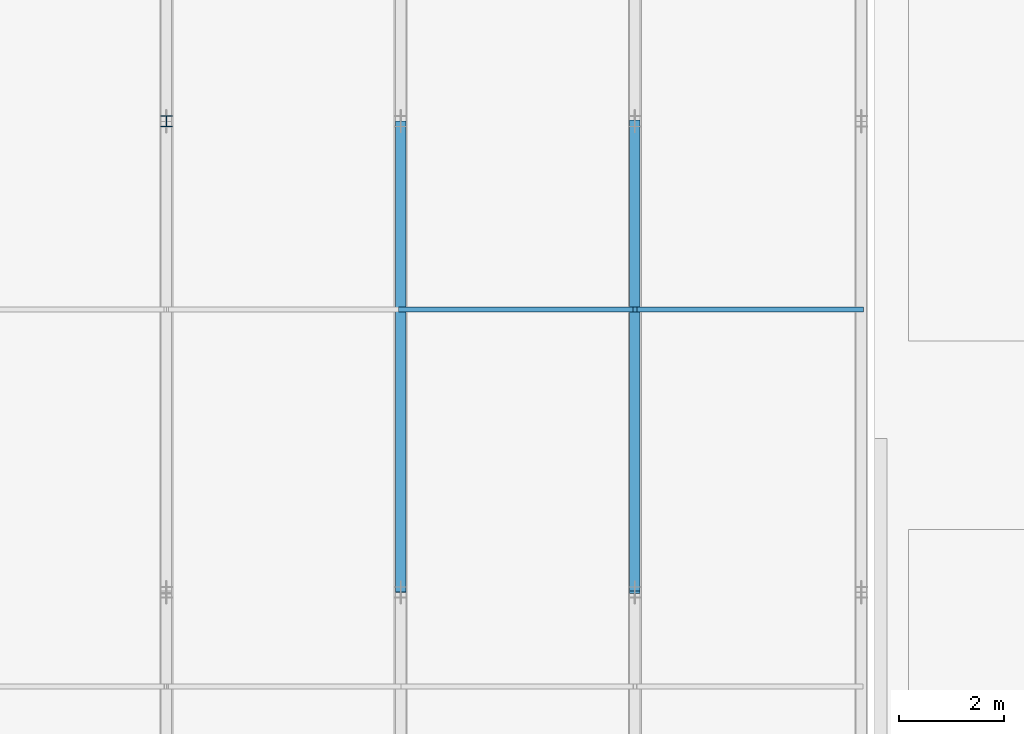
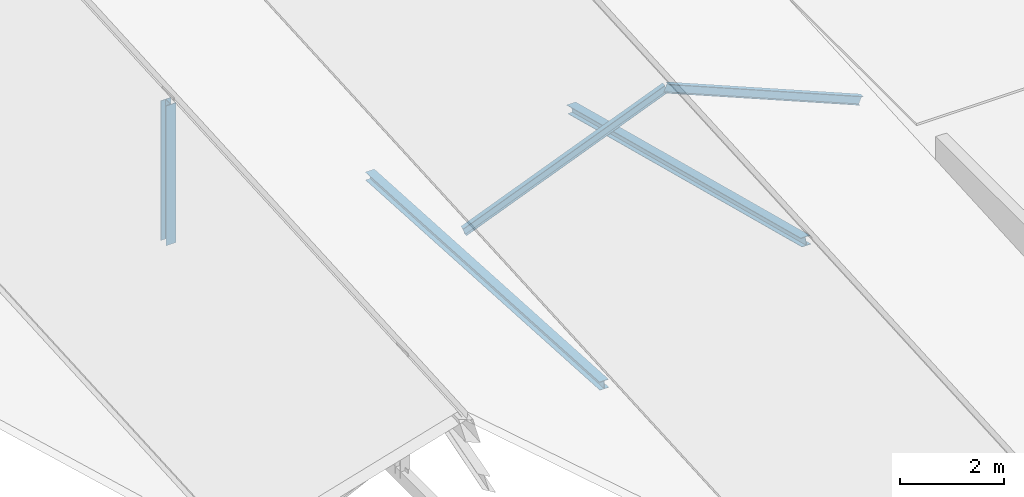
# One storey, part 53 of 142: 5 members.
"""IFC4 building model written with IfcOpenShell, lengths in metres."""

from ifc_helpers import new_model, si_unit, direction, frame, origin, origin_2d, place, context, subcontext, project, spatial, i_section, extrude, material, material_profile, profile_set, type_object, element, save


model = new_model("IFC4")

# Units and contexts
model_context = context("Model", 3, precision=1e-05, world=origin(), true_north=direction((0.0, 1.0)))
body_context = subcontext(model_context, "Body", "Model", "MODEL_VIEW")
ifc_project = project(units=[si_unit("LENGTHUNIT", "METRE"), si_unit("AREAUNIT", "SQUARE_METRE"), si_unit("VOLUMEUNIT", "CUBIC_METRE"), si_unit("PLANEANGLEUNIT", "RADIAN"), si_unit("MASSUNIT", "GRAM", prefix="KILO")], contexts=[model_context])

# Site, building, storey
site_placement = place(None, origin())
site = spatial("IfcSite", under=ifc_project, at=site_placement, CompositionType="ELEMENT")
building_placement = place(site_placement, origin())
building = spatial("IfcBuilding", under=site, at=building_placement, Name="Montelvaro Courts of Justice", CompositionType="ELEMENT")
storey_placement = place(building_placement, frame((0.0, 0.0, 14.39990234375)))
storey = spatial("IfcBuildingStorey", under=building, at=storey_placement, Name="L03", CompositionType="ELEMENT", Elevation=14.39990234375)

# Members
ifc_material = material(Name="Steel S355", Category="steel")
ifc_material_profile_1 = material_profile(ifc_material, i_section(OverallWidth=0.199951171875, OverallDepth=0.18994140625, WebThickness=0.006591796875, FlangeThickness=0.010009765625, at=origin_2d()), Name="HEA 200")
ifc_profile_set_1 = profile_set([ifc_material_profile_1], Name="Steel S355")
member_type_1 = type_object("IfcMemberType", Name="Mem_HEA200_Brace", PredefinedType="BRACE", material=ifc_profile_set_1)
member_1_placement = place(storey_placement, frame((90.0, 51.0, 0.22998046875), z_axis=(0.0, 0.998271944472, -0.058763295342), x_axis=(-1.0, 0.0, 0.0)))
element("IfcMember", 1, at=member_1_placement, inside=storey, type_object=member_type_1, Name="Roof Truss Web MB-02 ROOF-PASSAGE-VTR05-W2", PredefinedType="BRACE", context=body_context, shape_type="SweptSolid", body=[
    extrude(i_section(OverallWidth=0.199951171875, OverallDepth=0.18994140625, WebThickness=0.006591796875, FlangeThickness=0.010009765625, at=origin_2d()), origin(), (0.0, 0.0, 1.0), 9.015625),
])
member_2_placement = place(storey_placement, frame((94.47509765625, 51.0, 2.030029296875), z_axis=(0.0, 0.968088275109, -0.250609440358), x_axis=(-1.0, 0.0, 0.0)))
element("IfcMember", 2, at=member_2_placement, inside=storey, type_object=member_type_1, Name="Roof Truss Web MB-02 ROOF-PASSAGE-RTR05-W2", PredefinedType="BRACE", context=body_context, shape_type="SweptSolid", body=[
    extrude(i_section(OverallWidth=0.199951171875, OverallDepth=0.18994140625, WebThickness=0.006591796875, FlangeThickness=0.010009765625, at=origin_2d()), origin(), (0.0, 0.0, 1.0), 9.296630859375),
])
ifc_material_profile_2 = material_profile(ifc_material, i_section(OverallWidth=0.219970703125, OverallDepth=0.2099609375, WebThickness=0.007080078125, FlangeThickness=0.010986328125, at=origin_2d()), Name="HEA 220")
ifc_profile_set_2 = profile_set([ifc_material_profile_2], Name="Steel S355")
member_type_2 = type_object("IfcMemberType", Name="Mem_HEA220_Post", PredefinedType="POST", material=ifc_profile_set_2)
member_3_placement = place(storey_placement, frame((85.52490234375, 60.0, -0.2998046875), z_axis=(0.0, 0.0, 1.0), x_axis=(1.0, 0.0, 0.0)))
element("IfcMember", 3, at=member_3_placement, inside=storey, type_object=member_type_2, Name="Roof Truss Post MP-03 ROOF-PASSAGE-RTR04-V2", PredefinedType="POST", context=body_context, shape_type="SweptSolid", body=[
    extrude(i_section(OverallWidth=0.219970703125, OverallDepth=0.2099609375, WebThickness=0.007080078125, FlangeThickness=0.010986328125, at=origin_2d()), origin(), (0.0, 0.0, 1.0), 3.27978515625),
])
ifc_material_profile_3 = material_profile(ifc_material, i_section(OverallWidth=0.10009765625, OverallDepth=0.199951171875, WebThickness=0.005615234375, FlangeThickness=0.008544921875, at=origin_2d()), Name="IPE 200")
ifc_profile_set_3 = profile_set([ifc_material_profile_3], Name="Steel S355")
member_type_3 = type_object("IfcMemberType", Name="Mem_IPE200_Purlin", PredefinedType="PURLIN", material=ifc_profile_set_3)
member_4_placement = place(storey_placement, frame((90.0, 56.39990234375, 0.56005859375), z_axis=(0.927759386524, 0.0, 0.373178939271), x_axis=(0.0, 1.0, 0.0)))
element("IfcMember", 4, at=member_4_placement, inside=storey, type_object=member_type_3, Name="Roof Purlin MR-02 ROOF-PASSAGE-PRL-05-2L", PredefinedType="PURLIN", context=body_context, shape_type="SweptSolid", body=[
    extrude(i_section(OverallWidth=0.10009765625, OverallDepth=0.199951171875, WebThickness=0.005615234375, FlangeThickness=0.008544921875, at=origin_2d()), origin(), (0.0, 0.0, 1.0), 4.823486328125),
])
member_5_placement = place(storey_placement, frame((94.47509765625, 56.39990234375, 2.360107421875), z_axis=(0.923229496934, 0.0, -0.384249002591), x_axis=(0.0, 1.0, 0.0)))
element("IfcMember", 5, at=member_5_placement, inside=storey, type_object=member_type_3, Name="Roof Purlin MR-02 ROOF-PASSAGE-PRL-05-2R", PredefinedType="PURLIN", context=body_context, shape_type="SweptSolid", body=[
    extrude(i_section(OverallWidth=0.10009765625, OverallDepth=0.199951171875, WebThickness=0.005615234375, FlangeThickness=0.008544921875, at=origin_2d()), origin(), (0.0, 0.0, 1.0), 4.6845703125),
])

save(model, "model.ifc")
